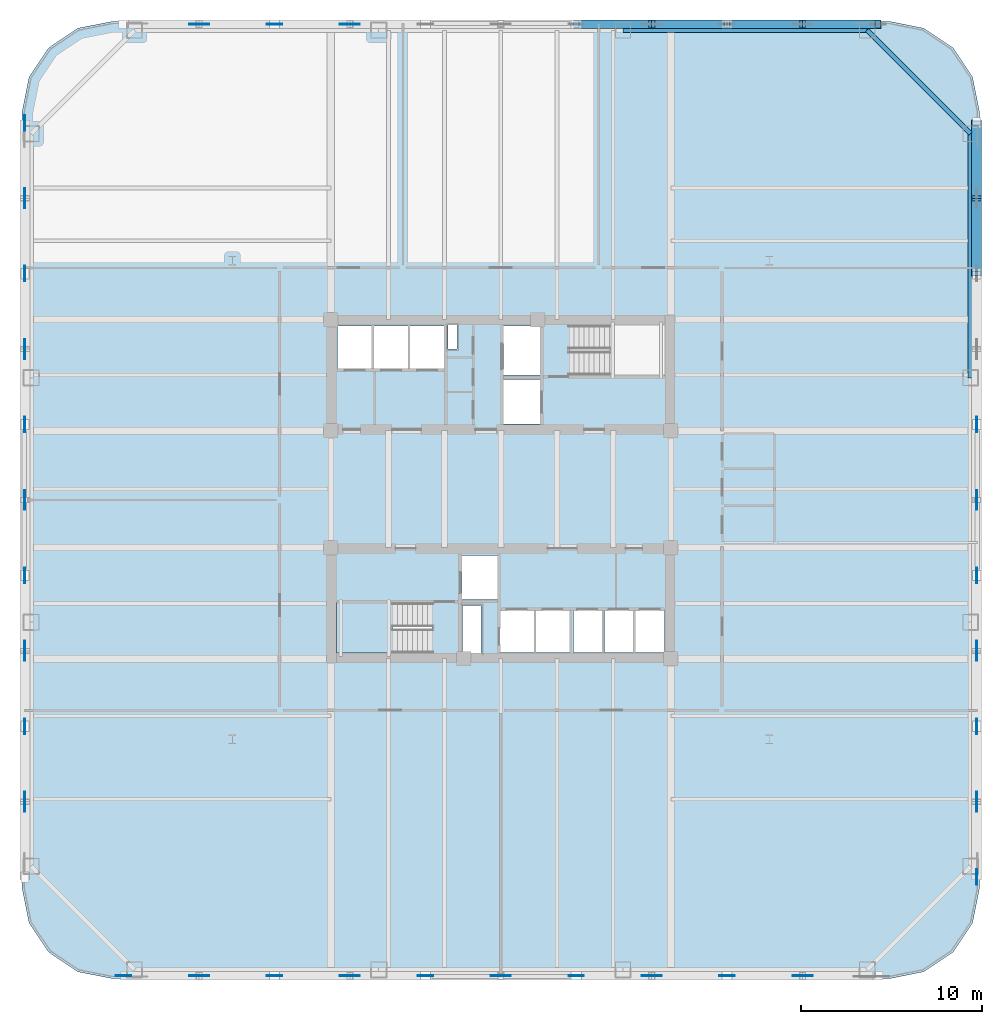
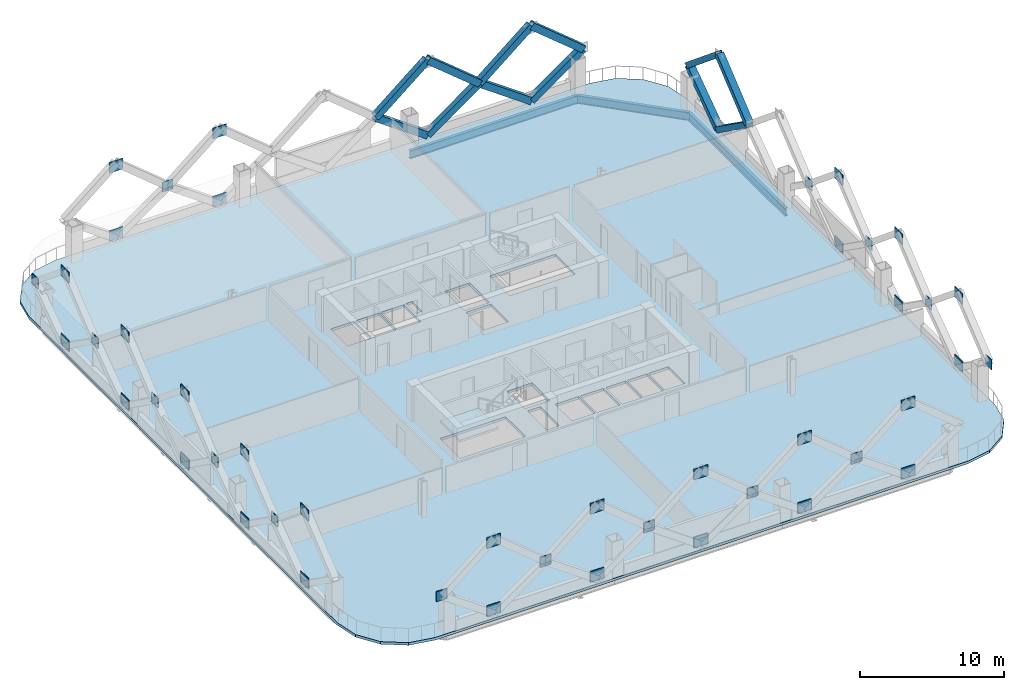
# One storey, part 3 of 12: 45 plates, 12 members, 3 beams, 2 slabs, 1 element without a shape of its own.
"""IFC4 building model written with IfcOpenShell, lengths in metres."""

from ifc_helpers import new_model, si_unit, direction, frame, origin, origin_2d, place, context, subcontext, project, spatial, polyline, rectangle, hollow_rectangle, i_section, outline, extrude, material, layer, layer_set, material_profile, profile_set, type_object, element, aggregate, save


model = new_model("IFC4")

# Units and contexts
model_context = context("Model", 3, precision=1e-05, world=origin(), true_north=direction((0.0, 1.0)))
body_context = subcontext(model_context, "Body", "Model", "MODEL_VIEW")
ifc_project = project(units=[si_unit("LENGTHUNIT", "METRE"), si_unit("AREAUNIT", "SQUARE_METRE"), si_unit("VOLUMEUNIT", "CUBIC_METRE"), si_unit("PLANEANGLEUNIT", "RADIAN"), si_unit("MASSUNIT", "GRAM", prefix="KILO")], contexts=[model_context])

# Site, building, storey
site_placement = place(None, origin())
site = spatial("IfcSite", under=ifc_project, at=site_placement, CompositionType="ELEMENT")
building_placement = place(site_placement, origin())
building = spatial("IfcBuilding", under=site, at=building_placement, Name="Qhalaya Broadcast Tower", CompositionType="ELEMENT")
storey_placement = place(building_placement, frame((0.0, 0.0, 50.5)))
storey = spatial("IfcBuildingStorey", under=building, at=storey_placement, Name="L14", CompositionType="ELEMENT", Elevation=50.5)

# Members
ifc_material_1 = material(Name="Structural Steel ASTM A572 Grade 50", Category="steel")
ifc_material_profile_1 = material_profile(ifc_material_1, hollow_rectangle(XDim=0.449951171875, YDim=0.550048828125, WallThickness=0.031982421875, at=origin_2d()), Name="BOX 450x550x32")
ifc_profile_set_1 = profile_set([ifc_material_profile_1], Name="Structural Steel ASTM A572 Grade 50")
member_type = type_object("IfcMemberType", Name="Exoskeleton Diamond Diagonal Lower EX1", PredefinedType="BRACE", material=ifc_profile_set_1)
member_1_placement = place(storey_placement, frame((26.239990234375, 16.639892578125, 0.360107421875), z_axis=(0.0, -0.815714819681, 0.578454261764), x_axis=(0.0, 0.578454261764, 0.815714819681)))
element("IfcMember", 1, at=member_1_placement, inside=storey, type_object=member_type, Name="B1 Exoskeleton Diamond Brace E5-D1", PredefinedType="BRACE", context=body_context, shape_type="SweptSolid", body=[
    extrude(hollow_rectangle(XDim=0.449951171875, YDim=0.550048828125, WallThickness=0.031982421875, at=origin_2d()), origin(), (0.0, 0.0, 1.0), 5.099609375),
])
member_2_placement = place(storey_placement, frame((26.239990234375, 16.639892578125, 0.360107421875), z_axis=(0.0, 0.815730837628, 0.578431673184), x_axis=(0.0, -0.578431673184, 0.815730837628)))
element("IfcMember", 2, at=member_2_placement, inside=storey, type_object=member_type, Name="B1 Exoskeleton Diamond Brace E5-D2", PredefinedType="BRACE", context=body_context, shape_type="SweptSolid", body=[
    extrude(hollow_rectangle(XDim=0.449951171875, YDim=0.550048828125, WallThickness=0.031982421875, at=origin_2d()), origin(), (0.0, 0.0, 1.0), 5.099853515625),
])
member_3_placement = place(storey_placement, frame((26.239990234375, 12.47998046875, 3.31005859375), z_axis=(0.0, 0.771554963297, 0.636162666786), x_axis=(0.0, -0.636162666786, 0.771554963297)))
element("IfcMember", 3, at=member_3_placement, inside=storey, type_object=member_type, Name="B1 Exoskeleton Diamond Brace E5-D3", PredefinedType="BRACE", context=body_context, shape_type="SweptSolid", body=[
    extrude(hollow_rectangle(XDim=0.449951171875, YDim=0.550048828125, WallThickness=0.031982421875, at=origin_2d()), origin(), (0.0, 0.0, 1.0), 5.3916015625),
])
member_4_placement = place(storey_placement, frame((26.239990234375, 20.800048828125, 3.31005859375), z_axis=(0.0, -0.771573287976, 0.636140441477), x_axis=(0.0, 0.636140441477, 0.771573287976)))
element("IfcMember", 4, at=member_4_placement, inside=storey, type_object=member_type, Name="B1 Exoskeleton Diamond Brace E5-D4", PredefinedType="BRACE", context=body_context, shape_type="SweptSolid", body=[
    extrude(hollow_rectangle(XDim=0.449951171875, YDim=0.550048828125, WallThickness=0.031982421875, at=origin_2d()), origin(), (0.0, 0.0, 1.0), 5.391845703125),
])
member_5_placement = place(storey_placement, frame((16.639892578125, 26.239990234375, 0.360107421875), z_axis=(0.815730837628, 0.0, 0.578431673184), x_axis=(0.0, 1.0, 0.0)))
element("IfcMember", 5, at=member_5_placement, inside=storey, type_object=member_type, Name="B1 Exoskeleton Diamond Brace N1-D1", PredefinedType="BRACE", context=body_context, shape_type="SweptSolid", body=[
    extrude(hollow_rectangle(XDim=0.449951171875, YDim=0.550048828125, WallThickness=0.031982421875, at=origin_2d()), origin(), (0.0, 0.0, 1.0), 5.099853515625),
])
member_6_placement = place(storey_placement, frame((16.639892578125, 26.239990234375, 0.360107421875), z_axis=(-0.815714819681, 0.0, 0.578454261764), x_axis=(0.0, -1.0, 0.0)))
element("IfcMember", 6, at=member_6_placement, inside=storey, type_object=member_type, Name="B1 Exoskeleton Diamond Brace N1-D2", PredefinedType="BRACE", context=body_context, shape_type="SweptSolid", body=[
    extrude(hollow_rectangle(XDim=0.449951171875, YDim=0.550048828125, WallThickness=0.031982421875, at=origin_2d()), origin(), (0.0, 0.0, 1.0), 5.099609375),
])
member_7_placement = place(storey_placement, frame((20.800048828125, 26.239990234375, 3.31005859375), z_axis=(-0.771573287976, 0.0, 0.636140441477), x_axis=(0.0, -1.0, 0.0)))
element("IfcMember", 7, at=member_7_placement, inside=storey, type_object=member_type, Name="B1 Exoskeleton Diamond Brace N1-D3", PredefinedType="BRACE", context=body_context, shape_type="SweptSolid", body=[
    extrude(hollow_rectangle(XDim=0.449951171875, YDim=0.550048828125, WallThickness=0.031982421875, at=origin_2d()), origin(), (0.0, 0.0, 1.0), 5.391845703125),
])
member_8_placement = place(storey_placement, frame((12.47998046875, 26.239990234375, 3.31005859375), z_axis=(0.771554963297, 0.0, 0.636162666786), x_axis=(0.0, 1.0, 0.0)))
element("IfcMember", 8, at=member_8_placement, inside=storey, type_object=member_type, Name="B1 Exoskeleton Diamond Brace N1-D4", PredefinedType="BRACE", context=body_context, shape_type="SweptSolid", body=[
    extrude(hollow_rectangle(XDim=0.449951171875, YDim=0.550048828125, WallThickness=0.031982421875, at=origin_2d()), origin(), (0.0, 0.0, 1.0), 5.3916015625),
])
member_9_placement = place(storey_placement, frame((8.320068359375, 26.239990234375, 0.360107421875), z_axis=(0.815714819681, 0.0, 0.578454261764), x_axis=(0.0, 1.0, 0.0)))
element("IfcMember", 9, at=member_9_placement, inside=storey, type_object=member_type, Name="B1 Exoskeleton Diamond Brace N2-D1", PredefinedType="BRACE", context=body_context, shape_type="SweptSolid", body=[
    extrude(hollow_rectangle(XDim=0.449951171875, YDim=0.550048828125, WallThickness=0.031982421875, at=origin_2d()), origin(), (0.0, 0.0, 1.0), 5.099609375),
])
member_10_placement = place(storey_placement, frame((8.320068359375, 26.239990234375, 0.360107421875), z_axis=(-0.815730837628, 0.0, 0.578431673184), x_axis=(0.0, -1.0, 0.0)))
element("IfcMember", 10, at=member_10_placement, inside=storey, type_object=member_type, Name="B1 Exoskeleton Diamond Brace N2-D2", PredefinedType="BRACE", context=body_context, shape_type="SweptSolid", body=[
    extrude(hollow_rectangle(XDim=0.449951171875, YDim=0.550048828125, WallThickness=0.031982421875, at=origin_2d()), origin(), (0.0, 0.0, 1.0), 5.099853515625),
])
member_11_placement = place(storey_placement, frame((12.47998046875, 26.239990234375, 3.31005859375), z_axis=(-0.771554963297, 0.0, 0.636162666786), x_axis=(0.0, -1.0, 0.0)))
element("IfcMember", 11, at=member_11_placement, inside=storey, type_object=member_type, Name="B1 Exoskeleton Diamond Brace N2-D3", PredefinedType="BRACE", context=body_context, shape_type="SweptSolid", body=[
    extrude(hollow_rectangle(XDim=0.449951171875, YDim=0.550048828125, WallThickness=0.031982421875, at=origin_2d()), origin(), (0.0, 0.0, 1.0), 5.3916015625),
])
member_12_placement = place(storey_placement, frame((4.159912109375, 26.239990234375, 3.31005859375), z_axis=(0.771573287976, 0.0, 0.636140441477), x_axis=(0.0, 1.0, 0.0)))
element("IfcMember", 12, at=member_12_placement, inside=storey, type_object=member_type, Name="B1 Exoskeleton Diamond Brace N2-D4", PredefinedType="BRACE", context=body_context, shape_type="SweptSolid", body=[
    extrude(hollow_rectangle(XDim=0.449951171875, YDim=0.550048828125, WallThickness=0.031982421875, at=origin_2d()), origin(), (0.0, 0.0, 1.0), 5.391845703125),
])

# Beams
ifc_material_2 = material(Name="Structural Steel ASTM A992 Grade 50", Category="steel")
ifc_material_profile_2 = material_profile(ifc_material_2, i_section(OverallWidth=0.25390625, OverallDepth=0.68310546875, WebThickness=0.012451171875, FlangeThickness=0.01904296875, at=origin_2d()), Name="W27X94")
ifc_profile_set_2 = profile_set([ifc_material_profile_2], Name="Structural Steel ASTM A992 Grade 50")
beam_type = type_object("IfcBeamType", Name="Perimeter Ring Spandrel Beam SP1", PredefinedType="SPANDREL", material=ifc_profile_set_2)
beam_1_placement = place(storey_placement, frame((25.89990234375, 6.7333984375, -0.5615234375), z_axis=(0.0, 1.0, 0.0), x_axis=(-1.0, 0.0, 0.0)))
element("IfcBeam", 13, at=beam_1_placement, inside=storey, type_object=beam_type, Name="L14 SP1 L14-SPR-07", PredefinedType="SPANDREL", context=body_context, shape_type="SweptSolid", body=[
    extrude(i_section(OverallWidth=0.25390625, OverallDepth=0.68310546875, WebThickness=0.012451171875, FlangeThickness=0.01904296875, at=origin_2d()), origin(), (0.0, 0.0, 1.0), 13.466552734375),
])
beam_2_placement = place(storey_placement, frame((25.89990234375, 20.199951171875, -0.5615234375), z_axis=(-0.707106781187, 0.707106781187, 0.0), x_axis=(-0.707106781187, -0.707106781187, 0.0)))
element("IfcBeam", 14, at=beam_2_placement, inside=storey, type_object=beam_type, Name="L14 SP1 L14-SPR-08", PredefinedType="SPANDREL", context=body_context, shape_type="SweptSolid", body=[
    extrude(i_section(OverallWidth=0.25390625, OverallDepth=0.68310546875, WebThickness=0.012451171875, FlangeThickness=0.01904296875, at=origin_2d()), origin(), (0.0, 0.0, 1.0), 8.06103515625),
])
beam_3_placement = place(storey_placement, frame((20.199951171875, 25.89990234375, -0.5615234375), z_axis=(-1.0, 0.0, 0.0), x_axis=(0.0, -1.0, 0.0)))
element("IfcBeam", 15, at=beam_3_placement, inside=storey, type_object=beam_type, Name="L14 SP1 L14-SPR-09", PredefinedType="SPANDREL", context=body_context, shape_type="SweptSolid", body=[
    extrude(i_section(OverallWidth=0.25390625, OverallDepth=0.68310546875, WebThickness=0.012451171875, FlangeThickness=0.01904296875, at=origin_2d()), origin(), (0.0, 0.0, 1.0), 13.466552734375),
])

# Plates
ifc_layer_1 = layer(ifc_material_1, 0.054931640625, Name="Structural Steel ASTM A572 Grade 50")
ifc_layer_set_1 = layer_set([ifc_layer_1], Name="Structural Steel ASTM A572 Grade 50")
plate_type = type_object("IfcPlateType", Name="Exoskeleton Diamond Node Gusset Plate NP-01", PredefinedType="USERDEFINED", material=ifc_layer_set_1)
for number, where, z_axis, x_axis, name in (
    (16, (-16.639892578125, -26.239990234375, 0.2099609375), (0.0, 0.0, 1.0), (1.0, 0.0, 0.0), "Exoskeleton Diamond Node B1-S1-BOT"),
    (17, (-16.639892578125, -26.239990234375, 5.989990234375), (0.0, 0.0, 1.0), (1.0, 0.0, 0.0), "Exoskeleton Diamond Node B1-S1-TOP"),
):
    element("IfcPlate", number, at=place(storey_placement, frame(where, z_axis=z_axis, x_axis=x_axis)), inside=storey, type_object=plate_type, Name=name, ObjectType="GUSSET_PLATE", PredefinedType="USERDEFINED", context=body_context, shape_type="SweptSolid", body=[
        extrude(rectangle(XDim=1.10009765625, YDim=0.054931640625, at=origin_2d()), origin(), (0.0, 0.0, 1.0), 0.89990234375),
    ])
plate_1_placement = place(storey_placement, frame((-20.800048828125, -26.239990234375, 2.885009765625), z_axis=(0.0, 0.0, 1.0), x_axis=(1.0, 0.0, 0.0)))
element("IfcPlate", 18, at=plate_1_placement, inside=storey, type_object=plate_type, Name="Exoskeleton Diamond Node B1-S1-MDL", ObjectType="GUSSET_PLATE", PredefinedType="USERDEFINED", context=body_context, shape_type="SweptSolid", body=[
    extrude(rectangle(XDim=0.85009765625, YDim=0.054931640625, at=origin_2d()), origin(), (0.0, 0.0, 1.0), 0.85009765625),
])
for number, where, z_axis, x_axis, name in (
    (19, (-8.320068359375, -26.239990234375, 0.2099609375), (0.0, 0.0, 1.0), (1.0, 0.0, 0.0), "Exoskeleton Diamond Node B1-S2-BOT"),
    (20, (-8.320068359375, -26.239990234375, 5.989990234375), (0.0, 0.0, 1.0), (1.0, 0.0, 0.0), "Exoskeleton Diamond Node B1-S2-TOP"),
):
    element("IfcPlate", number, at=place(storey_placement, frame(where, z_axis=z_axis, x_axis=x_axis)), inside=storey, type_object=plate_type, Name=name, ObjectType="GUSSET_PLATE", PredefinedType="USERDEFINED", context=body_context, shape_type="SweptSolid", body=[
        extrude(rectangle(XDim=1.10009765625, YDim=0.054931640625, at=origin_2d()), origin(), (0.0, 0.0, 1.0), 0.89990234375),
    ])
plate_2_placement = place(storey_placement, frame((-12.47998046875, -26.239990234375, 2.885009765625), z_axis=(0.0, 0.0, 1.0), x_axis=(1.0, 0.0, 0.0)))
element("IfcPlate", 21, at=plate_2_placement, inside=storey, type_object=plate_type, Name="Exoskeleton Diamond Node B1-S2-MDL", ObjectType="GUSSET_PLATE", PredefinedType="USERDEFINED", context=body_context, shape_type="SweptSolid", body=[
    extrude(rectangle(XDim=0.85009765625, YDim=0.054931640625, at=origin_2d()), origin(), (0.0, 0.0, 1.0), 0.85009765625),
])
for number, where, z_axis, x_axis, name in (
    (22, (0.0, -26.239990234375, 0.2099609375), (0.0, 0.0, 1.0), (1.0, 0.0, 0.0), "Exoskeleton Diamond Node B1-S3-BOT"),
    (23, (0.0, -26.239990234375, 5.989990234375), (0.0, 0.0, 1.0), (1.0, 0.0, 0.0), "Exoskeleton Diamond Node B1-S3-TOP"),
):
    element("IfcPlate", number, at=place(storey_placement, frame(where, z_axis=z_axis, x_axis=x_axis)), inside=storey, type_object=plate_type, Name=name, ObjectType="GUSSET_PLATE", PredefinedType="USERDEFINED", context=body_context, shape_type="SweptSolid", body=[
        extrude(rectangle(XDim=1.10009765625, YDim=0.054931640625, at=origin_2d()), origin(), (0.0, 0.0, 1.0), 0.89990234375),
    ])
plate_3_placement = place(storey_placement, frame((-4.159912109375, -26.239990234375, 2.885009765625), z_axis=(0.0, 0.0, 1.0), x_axis=(1.0, 0.0, 0.0)))
element("IfcPlate", 24, at=plate_3_placement, inside=storey, type_object=plate_type, Name="Exoskeleton Diamond Node B1-S3-MDL", ObjectType="GUSSET_PLATE", PredefinedType="USERDEFINED", context=body_context, shape_type="SweptSolid", body=[
    extrude(rectangle(XDim=0.85009765625, YDim=0.054931640625, at=origin_2d()), origin(), (0.0, 0.0, 1.0), 0.85009765625),
])
for number, where, z_axis, x_axis, name in (
    (25, (8.320068359375, -26.239990234375, 0.2099609375), (0.0, 0.0, 1.0), (1.0, 0.0, 0.0), "Exoskeleton Diamond Node B1-S4-BOT"),
    (26, (8.320068359375, -26.239990234375, 5.989990234375), (0.0, 0.0, 1.0), (1.0, 0.0, 0.0), "Exoskeleton Diamond Node B1-S4-TOP"),
):
    element("IfcPlate", number, at=place(storey_placement, frame(where, z_axis=z_axis, x_axis=x_axis)), inside=storey, type_object=plate_type, Name=name, ObjectType="GUSSET_PLATE", PredefinedType="USERDEFINED", context=body_context, shape_type="SweptSolid", body=[
        extrude(rectangle(XDim=1.10009765625, YDim=0.054931640625, at=origin_2d()), origin(), (0.0, 0.0, 1.0), 0.89990234375),
    ])
plate_4_placement = place(storey_placement, frame((4.159912109375, -26.239990234375, 2.885009765625), z_axis=(0.0, 0.0, 1.0), x_axis=(1.0, 0.0, 0.0)))
element("IfcPlate", 27, at=plate_4_placement, inside=storey, type_object=plate_type, Name="Exoskeleton Diamond Node B1-S4-MDL", ObjectType="GUSSET_PLATE", PredefinedType="USERDEFINED", context=body_context, shape_type="SweptSolid", body=[
    extrude(rectangle(XDim=0.85009765625, YDim=0.054931640625, at=origin_2d()), origin(), (0.0, 0.0, 1.0), 0.85009765625),
])
for number, where, z_axis, x_axis, name in (
    (28, (16.639892578125, -26.239990234375, 0.2099609375), (0.0, 0.0, 1.0), (1.0, 0.0, 0.0), "Exoskeleton Diamond Node B1-S5-BOT"),
    (29, (16.639892578125, -26.239990234375, 5.989990234375), (0.0, 0.0, 1.0), (1.0, 0.0, 0.0), "Exoskeleton Diamond Node B1-S5-TOP"),
):
    element("IfcPlate", number, at=place(storey_placement, frame(where, z_axis=z_axis, x_axis=x_axis)), inside=storey, type_object=plate_type, Name=name, ObjectType="GUSSET_PLATE", PredefinedType="USERDEFINED", context=body_context, shape_type="SweptSolid", body=[
        extrude(rectangle(XDim=1.10009765625, YDim=0.054931640625, at=origin_2d()), origin(), (0.0, 0.0, 1.0), 0.89990234375),
    ])
plate_5_placement = place(storey_placement, frame((12.47998046875, -26.239990234375, 2.885009765625), z_axis=(0.0, 0.0, 1.0), x_axis=(1.0, 0.0, 0.0)))
element("IfcPlate", 30, at=plate_5_placement, inside=storey, type_object=plate_type, Name="Exoskeleton Diamond Node B1-S5-MDL", ObjectType="GUSSET_PLATE", PredefinedType="USERDEFINED", context=body_context, shape_type="SweptSolid", body=[
    extrude(rectangle(XDim=0.85009765625, YDim=0.054931640625, at=origin_2d()), origin(), (0.0, 0.0, 1.0), 0.85009765625),
])
for number, where, z_axis, x_axis, name in (
    (31, (26.239990234375, -16.639892578125, 0.2099609375), (0.0, 0.0, 1.0), (0.0, 1.0, 0.0), "Exoskeleton Diamond Node B1-E1-BOT"),
    (32, (26.239990234375, -16.639892578125, 5.989990234375), (0.0, 0.0, 1.0), (0.0, 1.0, 0.0), "Exoskeleton Diamond Node B1-E1-TOP"),
):
    element("IfcPlate", number, at=place(storey_placement, frame(where, z_axis=z_axis, x_axis=x_axis)), inside=storey, type_object=plate_type, Name=name, ObjectType="GUSSET_PLATE", PredefinedType="USERDEFINED", context=body_context, shape_type="SweptSolid", body=[
        extrude(rectangle(XDim=1.10009765625, YDim=0.054931640625, at=origin_2d()), origin(), (0.0, 0.0, 1.0), 0.89990234375),
    ])
plate_6_placement = place(storey_placement, frame((26.239990234375, -20.800048828125, 2.885009765625), z_axis=(0.0, 0.0, 1.0), x_axis=(0.0, 1.0, 0.0)))
element("IfcPlate", 33, at=plate_6_placement, inside=storey, type_object=plate_type, Name="Exoskeleton Diamond Node B1-E1-MDL", ObjectType="GUSSET_PLATE", PredefinedType="USERDEFINED", context=body_context, shape_type="SweptSolid", body=[
    extrude(rectangle(XDim=0.85009765625, YDim=0.054931640625, at=origin_2d()), origin(), (0.0, 0.0, 1.0), 0.85009765625),
])
for number, where, z_axis, x_axis, name in (
    (34, (26.239990234375, -8.320068359375, 0.2099609375), (0.0, 0.0, 1.0), (0.0, 1.0, 0.0), "Exoskeleton Diamond Node B1-E2-BOT"),
    (35, (26.239990234375, -8.320068359375, 5.989990234375), (0.0, 0.0, 1.0), (0.0, 1.0, 0.0), "Exoskeleton Diamond Node B1-E2-TOP"),
):
    element("IfcPlate", number, at=place(storey_placement, frame(where, z_axis=z_axis, x_axis=x_axis)), inside=storey, type_object=plate_type, Name=name, ObjectType="GUSSET_PLATE", PredefinedType="USERDEFINED", context=body_context, shape_type="SweptSolid", body=[
        extrude(rectangle(XDim=1.10009765625, YDim=0.054931640625, at=origin_2d()), origin(), (0.0, 0.0, 1.0), 0.89990234375),
    ])
plate_7_placement = place(storey_placement, frame((26.239990234375, -12.47998046875, 2.885009765625), z_axis=(0.0, 0.0, 1.0), x_axis=(0.0, 1.0, 0.0)))
element("IfcPlate", 36, at=plate_7_placement, inside=storey, type_object=plate_type, Name="Exoskeleton Diamond Node B1-E2-MDL", ObjectType="GUSSET_PLATE", PredefinedType="USERDEFINED", context=body_context, shape_type="SweptSolid", body=[
    extrude(rectangle(XDim=0.85009765625, YDim=0.054931640625, at=origin_2d()), origin(), (0.0, 0.0, 1.0), 0.85009765625),
])
for number, where, z_axis, x_axis, name in (
    (37, (26.239990234375, 0.0, 0.2099609375), (0.0, 0.0, 1.0), (0.0, 1.0, 0.0), "Exoskeleton Diamond Node B1-E3-BOT"),
    (38, (26.239990234375, 0.0, 5.989990234375), (0.0, 0.0, 1.0), (0.0, 1.0, 0.0), "Exoskeleton Diamond Node B1-E3-TOP"),
):
    element("IfcPlate", number, at=place(storey_placement, frame(where, z_axis=z_axis, x_axis=x_axis)), inside=storey, type_object=plate_type, Name=name, ObjectType="GUSSET_PLATE", PredefinedType="USERDEFINED", context=body_context, shape_type="SweptSolid", body=[
        extrude(rectangle(XDim=1.10009765625, YDim=0.054931640625, at=origin_2d()), origin(), (0.0, 0.0, 1.0), 0.89990234375),
    ])
for number, where, z_axis, x_axis, name in (
    (39, (26.239990234375, -4.159912109375, 2.885009765625), (0.0, 0.0, 1.0), (0.0, 1.0, 0.0), "Exoskeleton Diamond Node B1-E3-MDL"),
    (40, (26.239990234375, 4.159912109375, 2.885009765625), (0.0, 0.0, 1.0), (0.0, 1.0, 0.0), "Exoskeleton Diamond Node B1-E4-MDL"),
):
    element("IfcPlate", number, at=place(storey_placement, frame(where, z_axis=z_axis, x_axis=x_axis)), inside=storey, type_object=plate_type, Name=name, ObjectType="GUSSET_PLATE", PredefinedType="USERDEFINED", context=body_context, shape_type="SweptSolid", body=[
        extrude(rectangle(XDim=0.85009765625, YDim=0.054931640625, at=origin_2d()), origin(), (0.0, 0.0, 1.0), 0.85009765625),
    ])
for number, where, z_axis, x_axis, name in (
    (41, (-8.320068359375, 26.239990234375, 0.2099609375), (0.0, 0.0, 1.0), (1.0, 0.0, 0.0), "Exoskeleton Diamond Node B1-N4-BOT"),
    (42, (-8.320068359375, 26.239990234375, 5.989990234375), (0.0, 0.0, 1.0), (1.0, 0.0, 0.0), "Exoskeleton Diamond Node B1-N4-TOP"),
    (43, (-16.639892578125, 26.239990234375, 0.2099609375), (0.0, 0.0, 1.0), (1.0, 0.0, 0.0), "Exoskeleton Diamond Node B1-N5-BOT"),
    (44, (-16.639892578125, 26.239990234375, 5.989990234375), (0.0, 0.0, 1.0), (1.0, 0.0, 0.0), "Exoskeleton Diamond Node B1-N5-TOP"),
):
    element("IfcPlate", number, at=place(storey_placement, frame(where, z_axis=z_axis, x_axis=x_axis)), inside=storey, type_object=plate_type, Name=name, ObjectType="GUSSET_PLATE", PredefinedType="USERDEFINED", context=body_context, shape_type="SweptSolid", body=[
        extrude(rectangle(XDim=1.10009765625, YDim=0.054931640625, at=origin_2d()), origin(), (0.0, 0.0, 1.0), 0.89990234375),
    ])
plate_8_placement = place(storey_placement, frame((-12.47998046875, 26.239990234375, 2.885009765625), z_axis=(0.0, 0.0, 1.0), x_axis=(1.0, 0.0, 0.0)))
element("IfcPlate", 45, at=plate_8_placement, inside=storey, type_object=plate_type, Name="Exoskeleton Diamond Node B1-N5-MDL", ObjectType="GUSSET_PLATE", PredefinedType="USERDEFINED", context=body_context, shape_type="SweptSolid", body=[
    extrude(rectangle(XDim=0.85009765625, YDim=0.054931640625, at=origin_2d()), origin(), (0.0, 0.0, 1.0), 0.85009765625),
])
for number, where, z_axis, x_axis, name in (
    (46, (-26.239990234375, 16.639892578125, 0.2099609375), (0.0, 0.0, 1.0), (0.0, 1.0, 0.0), "Exoskeleton Diamond Node B1-W1-BOT"),
    (47, (-26.239990234375, 16.639892578125, 5.989990234375), (0.0, 0.0, 1.0), (0.0, 1.0, 0.0), "Exoskeleton Diamond Node B1-W1-TOP"),
):
    element("IfcPlate", number, at=place(storey_placement, frame(where, z_axis=z_axis, x_axis=x_axis)), inside=storey, type_object=plate_type, Name=name, ObjectType="GUSSET_PLATE", PredefinedType="USERDEFINED", context=body_context, shape_type="SweptSolid", body=[
        extrude(rectangle(XDim=1.10009765625, YDim=0.054931640625, at=origin_2d()), origin(), (0.0, 0.0, 1.0), 0.89990234375),
    ])
plate_9_placement = place(storey_placement, frame((-26.239990234375, 20.800048828125, 2.885009765625), z_axis=(0.0, 0.0, 1.0), x_axis=(0.0, 1.0, 0.0)))
element("IfcPlate", 48, at=plate_9_placement, inside=storey, type_object=plate_type, Name="Exoskeleton Diamond Node B1-W1-MDL", ObjectType="GUSSET_PLATE", PredefinedType="USERDEFINED", context=body_context, shape_type="SweptSolid", body=[
    extrude(rectangle(XDim=0.85009765625, YDim=0.054931640625, at=origin_2d()), origin(), (0.0, 0.0, 1.0), 0.85009765625),
])
for number, where, z_axis, x_axis, name in (
    (49, (-26.239990234375, 8.320068359375, 0.2099609375), (0.0, 0.0, 1.0), (0.0, 1.0, 0.0), "Exoskeleton Diamond Node B1-W2-BOT"),
    (50, (-26.239990234375, 8.320068359375, 5.989990234375), (0.0, 0.0, 1.0), (0.0, 1.0, 0.0), "Exoskeleton Diamond Node B1-W2-TOP"),
):
    element("IfcPlate", number, at=place(storey_placement, frame(where, z_axis=z_axis, x_axis=x_axis)), inside=storey, type_object=plate_type, Name=name, ObjectType="GUSSET_PLATE", PredefinedType="USERDEFINED", context=body_context, shape_type="SweptSolid", body=[
        extrude(rectangle(XDim=1.10009765625, YDim=0.054931640625, at=origin_2d()), origin(), (0.0, 0.0, 1.0), 0.89990234375),
    ])
plate_10_placement = place(storey_placement, frame((-26.239990234375, 12.47998046875, 2.885009765625), z_axis=(0.0, 0.0, 1.0), x_axis=(0.0, 1.0, 0.0)))
element("IfcPlate", 51, at=plate_10_placement, inside=storey, type_object=plate_type, Name="Exoskeleton Diamond Node B1-W2-MDL", ObjectType="GUSSET_PLATE", PredefinedType="USERDEFINED", context=body_context, shape_type="SweptSolid", body=[
    extrude(rectangle(XDim=0.85009765625, YDim=0.054931640625, at=origin_2d()), origin(), (0.0, 0.0, 1.0), 0.85009765625),
])
for number, where, z_axis, x_axis, name in (
    (52, (-26.239990234375, 0.0, 0.2099609375), (0.0, 0.0, 1.0), (0.0, 1.0, 0.0), "Exoskeleton Diamond Node B1-W3-BOT"),
    (53, (-26.239990234375, 0.0, 5.989990234375), (0.0, 0.0, 1.0), (0.0, 1.0, 0.0), "Exoskeleton Diamond Node B1-W3-TOP"),
):
    element("IfcPlate", number, at=place(storey_placement, frame(where, z_axis=z_axis, x_axis=x_axis)), inside=storey, type_object=plate_type, Name=name, ObjectType="GUSSET_PLATE", PredefinedType="USERDEFINED", context=body_context, shape_type="SweptSolid", body=[
        extrude(rectangle(XDim=1.10009765625, YDim=0.054931640625, at=origin_2d()), origin(), (0.0, 0.0, 1.0), 0.89990234375),
    ])
plate_11_placement = place(storey_placement, frame((-26.239990234375, 4.159912109375, 2.885009765625), z_axis=(0.0, 0.0, 1.0), x_axis=(0.0, 1.0, 0.0)))
element("IfcPlate", 54, at=plate_11_placement, inside=storey, type_object=plate_type, Name="Exoskeleton Diamond Node B1-W3-MDL", ObjectType="GUSSET_PLATE", PredefinedType="USERDEFINED", context=body_context, shape_type="SweptSolid", body=[
    extrude(rectangle(XDim=0.85009765625, YDim=0.054931640625, at=origin_2d()), origin(), (0.0, 0.0, 1.0), 0.85009765625),
])
for number, where, z_axis, x_axis, name in (
    (55, (-26.239990234375, -8.320068359375, 0.2099609375), (0.0, 0.0, 1.0), (0.0, 1.0, 0.0), "Exoskeleton Diamond Node B1-W4-BOT"),
    (56, (-26.239990234375, -8.320068359375, 5.989990234375), (0.0, 0.0, 1.0), (0.0, 1.0, 0.0), "Exoskeleton Diamond Node B1-W4-TOP"),
):
    element("IfcPlate", number, at=place(storey_placement, frame(where, z_axis=z_axis, x_axis=x_axis)), inside=storey, type_object=plate_type, Name=name, ObjectType="GUSSET_PLATE", PredefinedType="USERDEFINED", context=body_context, shape_type="SweptSolid", body=[
        extrude(rectangle(XDim=1.10009765625, YDim=0.054931640625, at=origin_2d()), origin(), (0.0, 0.0, 1.0), 0.89990234375),
    ])
plate_12_placement = place(storey_placement, frame((-26.239990234375, -4.159912109375, 2.885009765625), z_axis=(0.0, 0.0, 1.0), x_axis=(0.0, 1.0, 0.0)))
element("IfcPlate", 57, at=plate_12_placement, inside=storey, type_object=plate_type, Name="Exoskeleton Diamond Node B1-W4-MDL", ObjectType="GUSSET_PLATE", PredefinedType="USERDEFINED", context=body_context, shape_type="SweptSolid", body=[
    extrude(rectangle(XDim=0.85009765625, YDim=0.054931640625, at=origin_2d()), origin(), (0.0, 0.0, 1.0), 0.85009765625),
])
for number, where, z_axis, x_axis, name in (
    (58, (-26.239990234375, -16.639892578125, 0.2099609375), (0.0, 0.0, 1.0), (0.0, 1.0, 0.0), "Exoskeleton Diamond Node B1-W5-BOT"),
    (59, (-26.239990234375, -16.639892578125, 5.989990234375), (0.0, 0.0, 1.0), (0.0, 1.0, 0.0), "Exoskeleton Diamond Node B1-W5-TOP"),
):
    element("IfcPlate", number, at=place(storey_placement, frame(where, z_axis=z_axis, x_axis=x_axis)), inside=storey, type_object=plate_type, Name=name, ObjectType="GUSSET_PLATE", PredefinedType="USERDEFINED", context=body_context, shape_type="SweptSolid", body=[
        extrude(rectangle(XDim=1.10009765625, YDim=0.054931640625, at=origin_2d()), origin(), (0.0, 0.0, 1.0), 0.89990234375),
    ])
plate_13_placement = place(storey_placement, frame((-26.239990234375, -12.47998046875, 2.885009765625), z_axis=(0.0, 0.0, 1.0), x_axis=(0.0, 1.0, 0.0)))
element("IfcPlate", 60, at=plate_13_placement, inside=storey, type_object=plate_type, Name="Exoskeleton Diamond Node B1-W5-MDL", ObjectType="GUSSET_PLATE", PredefinedType="USERDEFINED", context=body_context, shape_type="SweptSolid", body=[
    extrude(rectangle(XDim=0.85009765625, YDim=0.054931640625, at=origin_2d()), origin(), (0.0, 0.0, 1.0), 0.85009765625),
])

# Stair, slab
ifc_material_3 = material(Name="Concrete C40/50", Category="concrete")
stair_type = type_object("IfcStairType", Name="Protected Dogleg Core Stair 3150", PredefinedType="TWO_STRAIGHT_RUN_STAIR", material=ifc_material_3)
stair_placement = place(storey_placement, origin())
stair = element("IfcStair", 61, at=stair_placement, inside=storey, type_object=stair_type, Name="L14 South Core Exit Stair ST-2", PredefinedType="TWO_STRAIGHT_RUN_STAIR")
ifc_layer_2 = layer(ifc_material_3, 0.199951171875, Name="Concrete C40/50")
ifc_layer_set_2 = layer_set([ifc_layer_2], Name="Concrete C40/50")
slab_type_1 = type_object("IfcSlabType", Name="Stair & Ramp Half-Landing Slab 200", PredefinedType="LANDING", material=ifc_layer_set_2)
slab_1_placement = place(storey_placement, frame((0.0, 0.0, 1.324951171875)))
slab_1 = element("IfcSlab", 62, at=slab_1_placement, type_object=slab_type_1, Name="ST-2 landing 1", PredefinedType="LANDING", context=body_context, shape_type="SweptSolid", body=[
    extrude(outline(polyline([(-5.955078125, -5.679931640625), (-9.050048828125, -5.679931640625), (-9.050048828125, -8.43994140625), (-5.955078125, -8.43994140625), (-5.955078125, -5.679931640625)])), origin(), (0.0, 0.0, 1.0), 0.199951171875),
])
aggregate(stair, [slab_1])

# Slab
ifc_layer_3 = layer(ifc_material_3, 0.219970703125, Name="Concrete C40/50")
ifc_layer_set_3 = layer_set([ifc_layer_3], Name="Concrete C40/50")
slab_type_2 = type_object("IfcSlabType", Name="Tower Composite Floor Slab 220", PredefinedType="FLOOR", material=ifc_layer_set_3)
slab_2_placement = place(storey_placement, frame((0.0, 0.0, -0.219970703125)))
element("IfcSlab", 63, at=slab_2_placement, inside=storey, type_object=slab_type_2, Name="L14 Main Structural Floor Slab", PredefinedType="FLOOR", context=body_context, shape_type="SweptSolid", body=[
    extrude(outline(polyline([(21.39990234375, -26.39990234375), (23.3134765625, -26.019287109375), (24.935546875, -24.935546875), (26.019287109375, -23.3134765625), (26.39990234375, -21.39990234375), (26.39990234375, 21.39990234375), (26.019287109375, 23.3134765625), (24.935546875, 24.935546875), (23.3134765625, 26.019287109375), (21.39990234375, 26.39990234375), (-21.39990234375, 26.39990234375), (-23.3134765625, 26.019287109375), (-24.935546875, 24.935546875), (-26.019287109375, 23.3134765625), (-26.39990234375, 21.39990234375), (-26.39990234375, -21.39990234375), (-26.019287109375, -23.3134765625), (-24.935546875, -24.935546875), (-23.3134765625, -26.019287109375), (-21.39990234375, -26.39990234375), (21.39990234375, -26.39990234375)]), holes=[polyline([(3.784912109375, 9.639892578125), (9.050048828125, 9.639892578125), (9.050048828125, 6.8798828125), (3.784912109375, 6.8798828125), (3.784912109375, 9.639892578125)]), polyline([(-3.784912109375, -8.43994140625), (-9.050048828125, -8.43994140625), (-9.050048828125, -5.679931640625), (-3.784912109375, -5.679931640625), (-3.784912109375, -8.43994140625)]), polyline([(0.14990234375, 6.64990234375), (2.14990234375, 6.64990234375), (2.14990234375, 4.199951171875), (0.14990234375, 4.199951171875), (0.14990234375, 6.64990234375)]), polyline([(0.14990234375, 9.60009765625), (2.14990234375, 9.60009765625), (2.14990234375, 6.89990234375), (0.14990234375, 6.89990234375), (0.14990234375, 9.60009765625)]), polyline([(-2.14990234375, -3.050048828125), (-0.14990234375, -3.050048828125), (-0.14990234375, -5.5), (-2.14990234375, -5.5), (-2.14990234375, -3.050048828125)]), polyline([(-9.0, 9.60009765625), (-7.1201171875, 9.60009765625), (-7.1201171875, 7.25), (-9.0, 7.25), (-9.0, 9.60009765625)]), polyline([(-7.0, 9.60009765625), (-5.1201171875, 9.60009765625), (-5.1201171875, 7.25), (-7.0, 7.25), (-7.0, 9.60009765625)]), polyline([(-5.0, 9.60009765625), (-3.1201171875, 9.60009765625), (-3.1201171875, 7.25), (-5.0, 7.25), (-5.0, 9.60009765625)]), polyline([(-0.050048828125, -6.10009765625), (1.830078125, -6.10009765625), (1.830078125, -8.39990234375), (-0.050048828125, -8.39990234375), (-0.050048828125, -6.10009765625)]), polyline([(1.949951171875, -6.10009765625), (3.830078125, -6.10009765625), (3.830078125, -8.39990234375), (1.949951171875, -8.39990234375), (1.949951171875, -6.10009765625)]), polyline([(4.0, -6.10009765625), (5.60009765625, -6.10009765625), (5.60009765625, -8.39990234375), (4.0, -8.39990234375), (4.0, -6.10009765625)]), polyline([(5.719970703125, -6.10009765625), (7.320068359375, -6.10009765625), (7.320068359375, -8.39990234375), (5.719970703125, -8.39990234375), (5.719970703125, -6.10009765625)]), polyline([(7.43994140625, -6.10009765625), (9.0400390625, -6.10009765625), (9.0400390625, -8.39990234375), (7.43994140625, -8.39990234375), (7.43994140625, -6.10009765625)]), polyline([(-2.919921875, 9.659912109375), (-2.419921875, 9.659912109375), (-2.419921875, 8.320068359375), (-2.919921875, 8.320068359375), (-2.919921875, 9.659912109375)]), polyline([(-2.1201171875, -5.820068359375), (-1.080078125, -5.820068359375), (-1.080078125, -8.4599609375), (-2.1201171875, -8.4599609375), (-2.1201171875, -5.820068359375)])]), origin(), (0.0, 0.0, 1.0), 0.219970703125),
])

save(model, "model.ifc")
